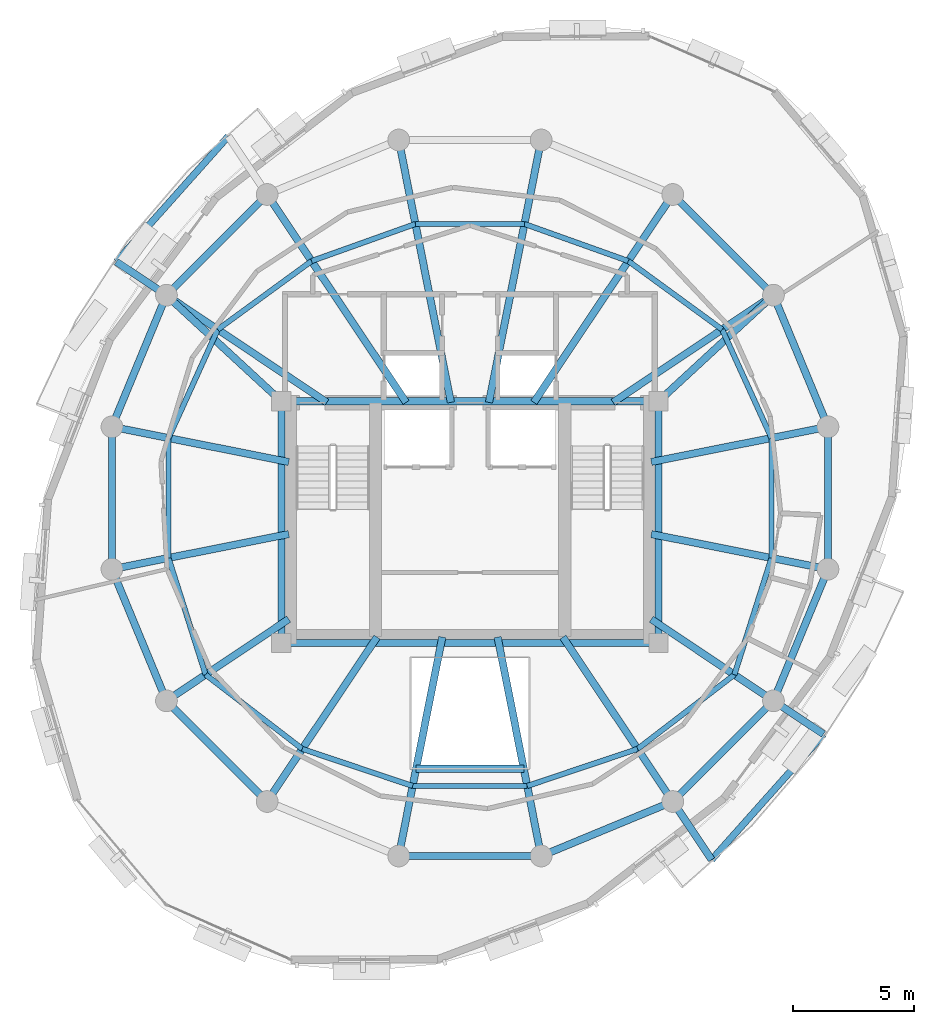
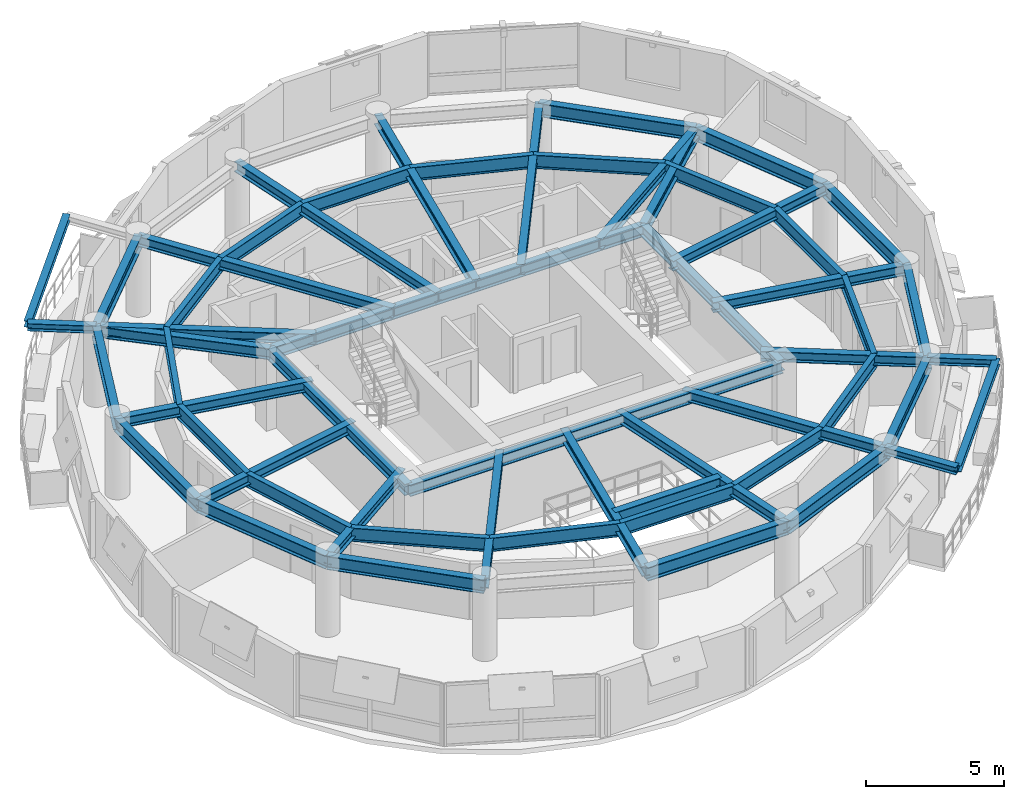
# One storey, part 3 of 11: 56 beams.
"""IFC4 building model written with IfcOpenShell, lengths in metres."""

from ifc_helpers import new_model, si_unit, direction, frame, origin, origin_2d, place, context, subcontext, project, spatial, i_section, extrude, material, material_profile, profile_set, type_object, element, save


model = new_model("IFC4")

# Units and contexts
model_context = context("Model", 3, precision=1e-05, world=origin(), true_north=direction((0.0, 1.0)))
body_context = subcontext(model_context, "Body", "Model", "MODEL_VIEW")
ifc_project = project(units=[si_unit("LENGTHUNIT", "METRE"), si_unit("AREAUNIT", "SQUARE_METRE"), si_unit("VOLUMEUNIT", "CUBIC_METRE"), si_unit("PLANEANGLEUNIT", "RADIAN"), si_unit("MASSUNIT", "GRAM", prefix="KILO"), si_unit("THERMODYNAMICTEMPERATUREUNIT", "KELVIN"), si_unit("POWERUNIT", "WATT")], contexts=[model_context])

# Site, building, storey
site_placement = place(None, origin())
site = spatial("IfcSite", under=ifc_project, at=site_placement, CompositionType="ELEMENT")
building_placement = place(site_placement, origin())
building = spatial("IfcBuilding", under=site, at=building_placement, Name="Ocrelia Relay Tower", CompositionType="ELEMENT")
storey_placement = place(building_placement, frame((0.0, 0.0, 252.0)))
storey = spatial("IfcBuildingStorey", under=building, at=storey_placement, Name="L62", CompositionType="ELEMENT", Elevation=252.0)

# Beams
ifc_material = material(Name="Steel S355", Category="steel")
ifc_material_profile_1 = material_profile(ifc_material, i_section(OverallWidth=0.280029296875, OverallDepth=0.27001953125, WebThickness=0.008056640625, FlangeThickness=0.012939453125, FilletRadius=0.02392578125, at=origin_2d()), Name="HEA 280")
ifc_profile_set_1 = profile_set([ifc_material_profile_1], Name="Steel S355")
beam_type_1 = type_object("IfcBeamType", Name="BM-HEA280", PredefinedType="BEAM", material=ifc_profile_set_1)
for number, where, z_axis, x_axis, name in (
    (1, (24.001953125, 40.963134765625, 3.2451171875), (-0.665598464364, -0.746310045649, 0.0), (0.746310045649, -0.665598464364, 0.0), "L63 Balcony Edge Trimmer Beam B1"),
    (2, (43.998046875, 11.036865234375, 3.2451171875), (0.665598464364, 0.746310045649, 0.0), (-0.746310045649, 0.665598464364, 0.0), "L63 Balcony Edge Trimmer Beam B2"),
):
    element("IfcBeam", number, at=place(storey_placement, frame(where, z_axis=z_axis, x_axis=x_axis)), inside=storey, type_object=beam_type_1, Name=name, PredefinedType="BEAM", context=body_context, shape_type="SweptSolid", body=[
        extrude(i_section(OverallWidth=0.280029296875, OverallDepth=0.27001953125, WebThickness=0.008056640625, FlangeThickness=0.012939453125, FilletRadius=0.02392578125, at=origin_2d()), origin(), (0.0, 0.0, 1.0), 6.9541015625),
    ])
ifc_material_profile_2 = material_profile(ifc_material, i_section(OverallWidth=0.300048828125, OverallDepth=0.330078125, WebThickness=0.009521484375, FlangeThickness=0.0166015625, FilletRadius=0.027099609375, at=origin_2d()), Name="HEA 340")
ifc_profile_set_2 = profile_set([ifc_material_profile_2], Name="Steel S355")
beam_type_2 = type_object("IfcBeamType", Name="BM-HEA340", PredefinedType="BEAM", material=ifc_profile_set_2)
beam_1_placement = place(storey_placement, frame((21.44482421875, 34.38916015625, 3.215087890625), z_axis=(-0.831492052922, 0.55553664679, 0.0), x_axis=(-0.55553664679, -0.831492052922, 0.0)))
element("IfcBeam", 3, at=beam_1_placement, inside=storey, type_object=beam_type_2, Name="L63 Balcony Cantilever Beam B1-2", PredefinedType="BEAM", context=body_context, shape_type="SweptSolid", body=[
    extrude(i_section(OverallWidth=0.300048828125, OverallDepth=0.330078125, WebThickness=0.009521484375, FlangeThickness=0.0166015625, FilletRadius=0.027099609375, at=origin_2d()), origin(), (0.0, 0.0, 1.0), 2.491455078125),
])
beam_2_placement = place(storey_placement, frame((42.38916015625, 13.44482421875, 3.215087890625), z_axis=(0.555555901033, -0.831479188451, 0.0), x_axis=(0.831479188451, 0.555555901033, 0.0)))
element("IfcBeam", 4, at=beam_2_placement, inside=storey, type_object=beam_type_2, Name="L63 Balcony Cantilever Beam B2-1", PredefinedType="BEAM", context=body_context, shape_type="SweptSolid", body=[
    extrude(i_section(OverallWidth=0.300048828125, OverallDepth=0.330078125, WebThickness=0.009521484375, FlangeThickness=0.0166015625, FilletRadius=0.027099609375, at=origin_2d()), origin(), (0.0, 0.0, 1.0), 2.89599609375),
])
beam_3_placement = place(storey_placement, frame((46.55517578125, 17.61083984375, 3.215087890625), z_axis=(0.831492052922, -0.55553664679, 0.0), x_axis=(0.55553664679, 0.831492052922, 0.0)))
element("IfcBeam", 5, at=beam_3_placement, inside=storey, type_object=beam_type_2, Name="L63 Balcony Cantilever Beam B2-2", PredefinedType="BEAM", context=body_context, shape_type="SweptSolid", body=[
    extrude(i_section(OverallWidth=0.300048828125, OverallDepth=0.330078125, WebThickness=0.009521484375, FlangeThickness=0.0166015625, FilletRadius=0.027099609375, at=origin_2d()), origin(), (0.0, 0.0, 1.0), 2.491455078125),
])
ifc_material_profile_3 = material_profile(ifc_material, i_section(OverallWidth=0.300048828125, OverallDepth=0.449951171875, WebThickness=0.013916015625, FlangeThickness=0.02587890625, FilletRadius=0.027099609375, at=origin_2d()), Name="HEB 450")
ifc_profile_set_3 = profile_set([ifc_material_profile_3], Name="Steel S355")
beam_type_3 = type_object("IfcBeamType", Name="BM-HEB450", PredefinedType="BEAM", material=ifc_profile_set_3)
beam_4_placement = place(storey_placement, frame((48.809814453125, 28.94580078125, 3.155029296875), z_axis=(-0.980789400571, -0.195069607393, 0.0), x_axis=(0.195069607393, -0.980789400571, 0.0)))
element("IfcBeam", 6, at=beam_4_placement, inside=storey, type_object=beam_type_3, Name="L62 Radial Floor Girder R01", PredefinedType="BEAM", context=body_context, shape_type="SweptSolid", body=[
    extrude(i_section(OverallWidth=0.300048828125, OverallDepth=0.449951171875, WebThickness=0.013916015625, FlangeThickness=0.02587890625, FilletRadius=0.027099609375, at=origin_2d()), origin(), (0.0, 0.0, 1.0), 7.447998046875),
])
beam_5_placement = place(storey_placement, frame((46.55517578125, 34.38916015625, 3.155029296875), z_axis=(-0.83146627118, -0.555575233331, 0.0), x_axis=(0.555575233331, -0.83146627118, 0.0)))
element("IfcBeam", 7, at=beam_5_placement, inside=storey, type_object=beam_type_3, Name="L62 Radial Floor Girder R02", PredefinedType="BEAM", context=body_context, shape_type="SweptSolid", body=[
    extrude(i_section(OverallWidth=0.300048828125, OverallDepth=0.449951171875, WebThickness=0.013916015625, FlangeThickness=0.02587890625, FilletRadius=0.027099609375, at=origin_2d()), origin(), (0.0, 0.0, 1.0), 7.98095703125),
])
beam_6_placement = place(storey_placement, frame((42.38916015625, 38.55517578125, 3.155029296875), z_axis=(-0.555582296999, -0.831461551283, 0.0), x_axis=(0.831461551283, -0.555582296999, 0.0)))
element("IfcBeam", 8, at=beam_6_placement, inside=storey, type_object=beam_type_3, Name="L62 Radial Floor Girder R03", PredefinedType="BEAM", context=body_context, shape_type="SweptSolid", body=[
    extrude(i_section(OverallWidth=0.300048828125, OverallDepth=0.449951171875, WebThickness=0.013916015625, FlangeThickness=0.02587890625, FilletRadius=0.027099609375, at=origin_2d()), origin(), (0.0, 0.0, 1.0), 10.34326171875),
])
for number, where, z_axis, x_axis, name in (
    (9, (36.94580078125, 40.809814453125, 3.155029296875), (-0.195093658495, -0.98078461673, 0.0), (0.98078461673, -0.195093658495, 0.0), "L62 Radial Floor Girder R04"),
    (10, (31.05419921875, 40.809814453125, 3.155029296875), (0.195093658495, -0.98078461673, 0.0), (0.98078461673, 0.195093658495, 0.0), "L62 Radial Floor Girder R05"),
):
    element("IfcBeam", number, at=place(storey_placement, frame(where, z_axis=z_axis, x_axis=x_axis)), inside=storey, type_object=beam_type_3, Name=name, PredefinedType="BEAM", context=body_context, shape_type="SweptSolid", body=[
        extrude(i_section(OverallWidth=0.300048828125, OverallDepth=0.449951171875, WebThickness=0.013916015625, FlangeThickness=0.02587890625, FilletRadius=0.027099609375, at=origin_2d()), origin(), (0.0, 0.0, 1.0), 11.0673828125),
    ])
beam_7_placement = place(storey_placement, frame((25.61083984375, 38.55517578125, 3.155029296875), z_axis=(0.555582296999, -0.831461551283, 0.0), x_axis=(0.831461551283, 0.555582296999, 0.0)))
element("IfcBeam", 11, at=beam_7_placement, inside=storey, type_object=beam_type_3, Name="L62 Radial Floor Girder R06", PredefinedType="BEAM", context=body_context, shape_type="SweptSolid", body=[
    extrude(i_section(OverallWidth=0.300048828125, OverallDepth=0.449951171875, WebThickness=0.013916015625, FlangeThickness=0.02587890625, FilletRadius=0.027099609375, at=origin_2d()), origin(), (0.0, 0.0, 1.0), 10.34326171875),
])
beam_8_placement = place(storey_placement, frame((21.44482421875, 34.38916015625, 3.155029296875), z_axis=(0.83146627118, -0.555575233331, 0.0), x_axis=(0.555575233331, 0.83146627118, 0.0)))
element("IfcBeam", 12, at=beam_8_placement, inside=storey, type_object=beam_type_3, Name="L62 Radial Floor Girder R07", PredefinedType="BEAM", context=body_context, shape_type="SweptSolid", body=[
    extrude(i_section(OverallWidth=0.300048828125, OverallDepth=0.449951171875, WebThickness=0.013916015625, FlangeThickness=0.02587890625, FilletRadius=0.027099609375, at=origin_2d()), origin(), (0.0, 0.0, 1.0), 7.98095703125),
])
for number, where, z_axis, x_axis, name in (
    (13, (19.190185546875, 28.94580078125, 3.155029296875), (0.980789122594, -0.195071005024, 0.0), (0.195071005024, 0.980789122594, 0.0), "L62 Radial Floor Girder R08"),
    (14, (19.190185546875, 23.05419921875, 3.155029296875), (0.980789122594, 0.195071005024, 0.0), (-0.195071005024, 0.980789122594, 0.0), "L62 Radial Floor Girder R09"),
):
    element("IfcBeam", number, at=place(storey_placement, frame(where, z_axis=z_axis, x_axis=x_axis)), inside=storey, type_object=beam_type_3, Name=name, PredefinedType="BEAM", context=body_context, shape_type="SweptSolid", body=[
        extrude(i_section(OverallWidth=0.300048828125, OverallDepth=0.449951171875, WebThickness=0.013916015625, FlangeThickness=0.02587890625, FilletRadius=0.027099609375, at=origin_2d()), origin(), (0.0, 0.0, 1.0), 7.4580078125),
    ])
beam_9_placement = place(storey_placement, frame((21.44482421875, 17.61083984375, 3.155029296875), z_axis=(0.831463505153, 0.555579372906, 0.0), x_axis=(-0.555579372906, 0.831463505153, 0.0)))
element("IfcBeam", 15, at=beam_9_placement, inside=storey, type_object=beam_type_3, Name="L62 Radial Floor Girder R10", PredefinedType="BEAM", context=body_context, shape_type="SweptSolid", body=[
    extrude(i_section(OverallWidth=0.300048828125, OverallDepth=0.449951171875, WebThickness=0.013916015625, FlangeThickness=0.02587890625, FilletRadius=0.027099609375, at=origin_2d()), origin(), (0.0, 0.0, 1.0), 6.085693359375),
])
beam_10_placement = place(storey_placement, frame((25.61083984375, 13.44482421875, 3.155029296875), z_axis=(0.555560991962, 0.831475786906, 0.0), x_axis=(-0.831475786906, 0.555560991962, 0.0)))
element("IfcBeam", 16, at=beam_10_placement, inside=storey, type_object=beam_type_3, Name="L62 Radial Floor Girder R11", PredefinedType="BEAM", context=body_context, shape_type="SweptSolid", body=[
    extrude(i_section(OverallWidth=0.300048828125, OverallDepth=0.449951171875, WebThickness=0.013916015625, FlangeThickness=0.02587890625, FilletRadius=0.027099609375, at=origin_2d()), origin(), (0.0, 0.0, 1.0), 8.178466796875),
])
for number, where, z_axis, x_axis, name in (
    (17, (31.05419921875, 11.190185546875, 3.155029296875), (0.195078600472, 0.98078761189, 0.0), (-0.98078761189, 0.195078600472, 0.0), "L62 Radial Floor Girder R12"),
    (18, (36.94580078125, 11.190185546875, 3.155029296875), (-0.195078600472, 0.98078761189, 0.0), (-0.98078761189, -0.195078600472, 0.0), "L62 Radial Floor Girder R13"),
):
    element("IfcBeam", number, at=place(storey_placement, frame(where, z_axis=z_axis, x_axis=x_axis)), inside=storey, type_object=beam_type_3, Name=name, PredefinedType="BEAM", context=body_context, shape_type="SweptSolid", body=[
        extrude(i_section(OverallWidth=0.300048828125, OverallDepth=0.449951171875, WebThickness=0.013916015625, FlangeThickness=0.02587890625, FilletRadius=0.027099609375, at=origin_2d()), origin(), (0.0, 0.0, 1.0), 9.232421875),
    ])
beam_11_placement = place(storey_placement, frame((42.38916015625, 13.44482421875, 3.155029296875), z_axis=(-0.555560991962, 0.831475786906, 0.0), x_axis=(-0.831475786906, -0.555560991962, 0.0)))
element("IfcBeam", 19, at=beam_11_placement, inside=storey, type_object=beam_type_3, Name="L62 Radial Floor Girder R14", PredefinedType="BEAM", context=body_context, shape_type="SweptSolid", body=[
    extrude(i_section(OverallWidth=0.300048828125, OverallDepth=0.449951171875, WebThickness=0.013916015625, FlangeThickness=0.02587890625, FilletRadius=0.027099609375, at=origin_2d()), origin(), (0.0, 0.0, 1.0), 8.178466796875),
])
beam_12_placement = place(storey_placement, frame((46.55517578125, 17.61083984375, 3.155029296875), z_axis=(-0.831468559595, 0.555571808504, 0.0), x_axis=(-0.555571808504, -0.831468559595, 0.0)))
element("IfcBeam", 20, at=beam_12_placement, inside=storey, type_object=beam_type_3, Name="L62 Radial Floor Girder R15", PredefinedType="BEAM", context=body_context, shape_type="SweptSolid", body=[
    extrude(i_section(OverallWidth=0.300048828125, OverallDepth=0.449951171875, WebThickness=0.013916015625, FlangeThickness=0.02587890625, FilletRadius=0.027099609375, at=origin_2d()), origin(), (0.0, 0.0, 1.0), 6.073974609375),
])
beam_13_placement = place(storey_placement, frame((48.809814453125, 23.05419921875, 3.155029296875), z_axis=(-0.980789400571, 0.195069607393, 0.0), x_axis=(-0.195069607393, -0.980789400571, 0.0)))
element("IfcBeam", 21, at=beam_13_placement, inside=storey, type_object=beam_type_3, Name="L62 Radial Floor Girder R16", PredefinedType="BEAM", context=body_context, shape_type="SweptSolid", body=[
    extrude(i_section(OverallWidth=0.300048828125, OverallDepth=0.449951171875, WebThickness=0.013916015625, FlangeThickness=0.02587890625, FilletRadius=0.027099609375, at=origin_2d()), origin(), (0.0, 0.0, 1.0), 7.447998046875),
])
ifc_material_profile_4 = material_profile(ifc_material, i_section(OverallWidth=0.300048828125, OverallDepth=0.5, WebThickness=0.014404296875, FlangeThickness=0.028076171875, FilletRadius=0.027099609375, at=origin_2d()), Name="HEB 500")
ifc_profile_set_4 = profile_set([ifc_material_profile_4], Name="Steel S355")
beam_type_4 = type_object("IfcBeamType", Name="BM-HEB500", PredefinedType="BEAM", material=ifc_profile_set_4)
for number, where, z_axis, x_axis, name in (
    (22, (26.199951171875, 20.0, 3.1298828125), (1.0, 0.0, 0.0), (0.0, 1.0, 0.0), "L62 Core Pilaster Tie Beam S"),
    (23, (26.199951171875, 30.0, 3.1298828125), (1.0, 0.0, 0.0), (0.0, 1.0, 0.0), "L62 Core Pilaster Tie Beam N"),
):
    element("IfcBeam", number, at=place(storey_placement, frame(where, z_axis=z_axis, x_axis=x_axis)), inside=storey, type_object=beam_type_4, Name=name, PredefinedType="BEAM", context=body_context, shape_type="SweptSolid", body=[
        extrude(i_section(OverallWidth=0.300048828125, OverallDepth=0.5, WebThickness=0.014404296875, FlangeThickness=0.028076171875, FilletRadius=0.027099609375, at=origin_2d()), origin(), (0.0, 0.0, 1.0), 15.60009765625),
    ])
for number, where, z_axis, x_axis, name in (
    (24, (26.199951171875, 20.0, 3.1298828125), (0.0, 1.0, 0.0), (-1.0, 0.0, 0.0), "L62 Core Pilaster Tie Beam W"),
    (25, (41.800048828125, 20.0, 3.1298828125), (0.0, 1.0, 0.0), (-1.0, 0.0, 0.0), "L62 Core Pilaster Tie Beam E"),
):
    element("IfcBeam", number, at=place(storey_placement, frame(where, z_axis=z_axis, x_axis=x_axis)), inside=storey, type_object=beam_type_4, Name=name, PredefinedType="BEAM", context=body_context, shape_type="SweptSolid", body=[
        extrude(i_section(OverallWidth=0.300048828125, OverallDepth=0.5, WebThickness=0.014404296875, FlangeThickness=0.028076171875, FilletRadius=0.027099609375, at=origin_2d()), origin(), (0.0, 0.0, 1.0), 10.0),
    ])
for number, where, z_axis, x_axis, name in (
    (26, (46.55517578125, 34.38916015625, 3.1298828125), (-0.734817908666, -0.678264433023, 0.0), (0.678264433023, -0.734817908666, 0.0), "L62 Core Pilaster Frame Tie Beam PT02"),
    (27, (21.44482421875, 34.38916015625, 3.1298828125), (0.734817908666, -0.678264433023, 0.0), (0.678264433023, 0.734817908666, 0.0), "L62 Core Pilaster Frame Tie Beam PT07"),
):
    element("IfcBeam", number, at=place(storey_placement, frame(where, z_axis=z_axis, x_axis=x_axis)), inside=storey, type_object=beam_type_4, Name=name, PredefinedType="BEAM", context=body_context, shape_type="SweptSolid", body=[
        extrude(i_section(OverallWidth=0.300048828125, OverallDepth=0.5, WebThickness=0.014404296875, FlangeThickness=0.028076171875, FilletRadius=0.027099609375, at=origin_2d()), origin(), (0.0, 0.0, 1.0), 6.47119140625),
    ])
ifc_material_profile_5 = material_profile(ifc_material, i_section(OverallWidth=0.300048828125, OverallDepth=0.550048828125, WebThickness=0.014892578125, FlangeThickness=0.029052734375, FilletRadius=0.027099609375, at=origin_2d()), Name="HEB 550")
ifc_profile_set_5 = profile_set([ifc_material_profile_5], Name="Steel S355")
beam_type_5 = type_object("IfcBeamType", Name="BM-HEB550", PredefinedType="BEAM", material=ifc_profile_set_5)
beam_14_placement = place(storey_placement, frame((31.772216796875, 14.800048828125, 3.10498046875), z_axis=(1.0, 0.0, 0.0), x_axis=(0.0, 1.0, 0.0)))
element("IfcBeam", 28, at=beam_14_placement, inside=storey, type_object=beam_type_5, Name="L62 Atrium South Trimmer Beam", PredefinedType="BEAM", context=body_context, shape_type="SweptSolid", body=[
    extrude(i_section(OverallWidth=0.300048828125, OverallDepth=0.550048828125, WebThickness=0.014892578125, FlangeThickness=0.029052734375, FilletRadius=0.027099609375, at=origin_2d()), origin(), (0.0, 0.0, 1.0), 4.45556640625),
])
ifc_material_profile_6 = material_profile(ifc_material, i_section(OverallWidth=0.300048828125, OverallDepth=0.60009765625, WebThickness=0.015380859375, FlangeThickness=0.030029296875, FilletRadius=0.027099609375, at=origin_2d()), Name="HEB 600")
ifc_profile_set_6 = profile_set([ifc_material_profile_6], Name="Steel S355")
beam_type_6 = type_object("IfcBeamType", Name="BM-HEB600", PredefinedType="BEAM", material=ifc_profile_set_6)
beam_15_placement = place(storey_placement, frame((48.809814453125, 28.94580078125, 3.080078125), z_axis=(-0.382672624084, 0.923884009374, 0.0), x_axis=(-0.923884009374, -0.382672624084, 0.0)))
element("IfcBeam", 29, at=beam_15_placement, inside=storey, type_object=beam_type_6, Name="L62 Perimeter Spandrel Beam S01", PredefinedType="BEAM", context=body_context, shape_type="SweptSolid", body=[
    extrude(i_section(OverallWidth=0.300048828125, OverallDepth=0.60009765625, WebThickness=0.015380859375, FlangeThickness=0.030029296875, FilletRadius=0.027099609375, at=origin_2d()), origin(), (0.0, 0.0, 1.0), 5.891845703125),
])
for number, where, z_axis, x_axis, name in (
    (30, (46.55517578125, 34.38916015625, 3.080078125), (-0.707106781187, 0.707106781187, 0.0), (-0.707106781187, -0.707106781187, 0.0), "L62 Perimeter Spandrel Beam S02"),
    (31, (25.61083984375, 38.55517578125, 3.080078125), (-0.707106781187, -0.707106781187, 0.0), (0.707106781187, -0.707106781187, 0.0), "L62 Perimeter Spandrel Beam S06"),
):
    element("IfcBeam", number, at=place(storey_placement, frame(where, z_axis=z_axis, x_axis=x_axis)), inside=storey, type_object=beam_type_6, Name=name, PredefinedType="BEAM", context=body_context, shape_type="SweptSolid", body=[
        extrude(i_section(OverallWidth=0.300048828125, OverallDepth=0.60009765625, WebThickness=0.015380859375, FlangeThickness=0.030029296875, FilletRadius=0.027099609375, at=origin_2d()), origin(), (0.0, 0.0, 1.0), 5.8916015625),
    ])
beam_16_placement = place(storey_placement, frame((21.44482421875, 34.38916015625, 3.080078125), z_axis=(-0.382672624084, -0.923884009374, 0.0), x_axis=(0.923884009374, -0.382672624084, 0.0)))
element("IfcBeam", 32, at=beam_16_placement, inside=storey, type_object=beam_type_6, Name="L62 Perimeter Spandrel Beam S07", PredefinedType="BEAM", context=body_context, shape_type="SweptSolid", body=[
    extrude(i_section(OverallWidth=0.300048828125, OverallDepth=0.60009765625, WebThickness=0.015380859375, FlangeThickness=0.030029296875, FilletRadius=0.027099609375, at=origin_2d()), origin(), (0.0, 0.0, 1.0), 5.891845703125),
])
beam_17_placement = place(storey_placement, frame((19.190185546875, 28.94580078125, 3.080078125), z_axis=(0.0, -1.0, 0.0), x_axis=(1.0, 0.0, 0.0)))
element("IfcBeam", 33, at=beam_17_placement, inside=storey, type_object=beam_type_6, Name="L62 Perimeter Spandrel Beam S08", PredefinedType="BEAM", context=body_context, shape_type="SweptSolid", body=[
    extrude(i_section(OverallWidth=0.300048828125, OverallDepth=0.60009765625, WebThickness=0.015380859375, FlangeThickness=0.030029296875, FilletRadius=0.027099609375, at=origin_2d()), origin(), (0.0, 0.0, 1.0), 5.8916015625),
])
beam_18_placement = place(storey_placement, frame((19.190185546875, 23.05419921875, 3.080078125), z_axis=(0.382672624084, -0.923884009374, 0.0), x_axis=(0.923884009374, 0.382672624084, 0.0)))
element("IfcBeam", 34, at=beam_18_placement, inside=storey, type_object=beam_type_6, Name="L62 Perimeter Spandrel Beam S09", PredefinedType="BEAM", context=body_context, shape_type="SweptSolid", body=[
    extrude(i_section(OverallWidth=0.300048828125, OverallDepth=0.60009765625, WebThickness=0.015380859375, FlangeThickness=0.030029296875, FilletRadius=0.027099609375, at=origin_2d()), origin(), (0.0, 0.0, 1.0), 5.891845703125),
])
for number, where, z_axis, x_axis, name in (
    (35, (21.44482421875, 17.61083984375, 3.080078125), (0.707106781187, -0.707106781187, 0.0), (0.707106781187, 0.707106781187, 0.0), "L62 Perimeter Spandrel Beam S10"),
    (36, (31.05419921875, 11.190185546875, 3.080078125), (1.0, 0.0, 0.0), (0.0, 1.0, 0.0), "L62 Perimeter Spandrel Beam S12"),
):
    element("IfcBeam", number, at=place(storey_placement, frame(where, z_axis=z_axis, x_axis=x_axis)), inside=storey, type_object=beam_type_6, Name=name, PredefinedType="BEAM", context=body_context, shape_type="SweptSolid", body=[
        extrude(i_section(OverallWidth=0.300048828125, OverallDepth=0.60009765625, WebThickness=0.015380859375, FlangeThickness=0.030029296875, FilletRadius=0.027099609375, at=origin_2d()), origin(), (0.0, 0.0, 1.0), 5.8916015625),
    ])
beam_19_placement = place(storey_placement, frame((36.94580078125, 11.190185546875, 3.080078125), z_axis=(0.923884009374, 0.382672624084, 0.0), x_axis=(-0.382672624084, 0.923884009374, 0.0)))
element("IfcBeam", 37, at=beam_19_placement, inside=storey, type_object=beam_type_6, Name="L62 Perimeter Spandrel Beam S13", PredefinedType="BEAM", context=body_context, shape_type="SweptSolid", body=[
    extrude(i_section(OverallWidth=0.300048828125, OverallDepth=0.60009765625, WebThickness=0.015380859375, FlangeThickness=0.030029296875, FilletRadius=0.027099609375, at=origin_2d()), origin(), (0.0, 0.0, 1.0), 5.891845703125),
])
beam_20_placement = place(storey_placement, frame((42.38916015625, 13.44482421875, 3.080078125), z_axis=(0.707106781187, 0.707106781187, 0.0), x_axis=(-0.707106781187, 0.707106781187, 0.0)))
element("IfcBeam", 38, at=beam_20_placement, inside=storey, type_object=beam_type_6, Name="L62 Perimeter Spandrel Beam S14", PredefinedType="BEAM", context=body_context, shape_type="SweptSolid", body=[
    extrude(i_section(OverallWidth=0.300048828125, OverallDepth=0.60009765625, WebThickness=0.015380859375, FlangeThickness=0.030029296875, FilletRadius=0.027099609375, at=origin_2d()), origin(), (0.0, 0.0, 1.0), 5.8916015625),
])
beam_21_placement = place(storey_placement, frame((46.55517578125, 17.61083984375, 3.080078125), z_axis=(0.382672624084, 0.923884009374, 0.0), x_axis=(-0.923884009374, 0.382672624084, 0.0)))
element("IfcBeam", 39, at=beam_21_placement, inside=storey, type_object=beam_type_6, Name="L62 Perimeter Spandrel Beam S15", PredefinedType="BEAM", context=body_context, shape_type="SweptSolid", body=[
    extrude(i_section(OverallWidth=0.300048828125, OverallDepth=0.60009765625, WebThickness=0.015380859375, FlangeThickness=0.030029296875, FilletRadius=0.027099609375, at=origin_2d()), origin(), (0.0, 0.0, 1.0), 5.891845703125),
])
beam_22_placement = place(storey_placement, frame((48.809814453125, 23.05419921875, 3.080078125), z_axis=(0.0, 1.0, 0.0), x_axis=(-1.0, 0.0, 0.0)))
element("IfcBeam", 40, at=beam_22_placement, inside=storey, type_object=beam_type_6, Name="L62 Perimeter Spandrel Beam S16", PredefinedType="BEAM", context=body_context, shape_type="SweptSolid", body=[
    extrude(i_section(OverallWidth=0.300048828125, OverallDepth=0.60009765625, WebThickness=0.015380859375, FlangeThickness=0.030029296875, FilletRadius=0.027099609375, at=origin_2d()), origin(), (0.0, 0.0, 1.0), 5.8916015625),
])
ifc_material_profile_7 = material_profile(ifc_material, i_section(OverallWidth=0.219970703125, OverallDepth=0.60009765625, WebThickness=0.011962890625, FlangeThickness=0.01904296875, FilletRadius=0.02392578125, at=origin_2d()), Name="IPE 600")
ifc_profile_set_7 = profile_set([ifc_material_profile_7], Name="Steel S355")
beam_type_7 = type_object("IfcBeamType", Name="BM-IPE600", PredefinedType="JOIST", material=ifc_profile_set_7)
beam_23_placement = place(storey_placement, frame((46.472412109375, 28.48095703125, 3.080078125), z_axis=(-0.413836514443, 0.91035121756, 0.0), x_axis=(-0.91035121756, -0.413836514443, 0.0)))
element("IfcBeam", 41, at=beam_23_placement, inside=storey, type_object=beam_type_7, Name="L62 Secondary Floor Joist J01", PredefinedType="JOIST", context=body_context, shape_type="SweptSolid", body=[
    extrude(i_section(OverallWidth=0.219970703125, OverallDepth=0.60009765625, WebThickness=0.011962890625, FlangeThickness=0.01904296875, FilletRadius=0.02392578125, at=origin_2d()), origin(), (0.0, 0.0, 1.0), 4.931396484375),
])
beam_24_placement = place(storey_placement, frame((44.431640625, 32.97021484375, 3.080078125), z_axis=(-0.80774844416, 0.58952731146, 0.0), x_axis=(-0.58952731146, -0.80774844416, 0.0)))
element("IfcBeam", 42, at=beam_24_placement, inside=storey, type_object=beam_type_7, Name="L62 Secondary Floor Joist J02", PredefinedType="JOIST", context=body_context, shape_type="SweptSolid", body=[
    extrude(i_section(OverallWidth=0.219970703125, OverallDepth=0.60009765625, WebThickness=0.011962890625, FlangeThickness=0.01904296875, FilletRadius=0.02392578125, at=origin_2d()), origin(), (0.0, 0.0, 1.0), 4.80517578125),
])
beam_25_placement = place(storey_placement, frame((40.55029296875, 35.802978515625, 3.080078125), z_axis=(-0.94180245035, 0.336166840298, 0.0), x_axis=(-0.336166840298, -0.94180245035, 0.0)))
element("IfcBeam", 43, at=beam_25_placement, inside=storey, type_object=beam_type_7, Name="L62 Secondary Floor Joist J03", PredefinedType="JOIST", context=body_context, shape_type="SweptSolid", body=[
    extrude(i_section(OverallWidth=0.219970703125, OverallDepth=0.60009765625, WebThickness=0.011962890625, FlangeThickness=0.01904296875, FilletRadius=0.02392578125, at=origin_2d()), origin(), (0.0, 0.0, 1.0), 4.560791015625),
])
beam_26_placement = place(storey_placement, frame((36.2548828125, 37.336181640625, 3.080078125), z_axis=(-1.0, 0.0, 0.0), x_axis=(0.0, -1.0, 0.0)))
element("IfcBeam", 44, at=beam_26_placement, inside=storey, type_object=beam_type_7, Name="L62 Secondary Floor Joist J04", PredefinedType="JOIST", context=body_context, shape_type="SweptSolid", body=[
    extrude(i_section(OverallWidth=0.219970703125, OverallDepth=0.60009765625, WebThickness=0.011962890625, FlangeThickness=0.01904296875, FilletRadius=0.02392578125, at=origin_2d()), origin(), (0.0, 0.0, 1.0), 4.509765625),
])
beam_27_placement = place(storey_placement, frame((31.7451171875, 37.336181640625, 3.080078125), z_axis=(-0.94180245035, -0.336166840298, 0.0), x_axis=(0.336166840298, -0.94180245035, 0.0)))
element("IfcBeam", 45, at=beam_27_placement, inside=storey, type_object=beam_type_7, Name="L62 Secondary Floor Joist J05", PredefinedType="JOIST", context=body_context, shape_type="SweptSolid", body=[
    extrude(i_section(OverallWidth=0.219970703125, OverallDepth=0.60009765625, WebThickness=0.011962890625, FlangeThickness=0.01904296875, FilletRadius=0.02392578125, at=origin_2d()), origin(), (0.0, 0.0, 1.0), 4.560791015625),
])
beam_28_placement = place(storey_placement, frame((27.44970703125, 35.802978515625, 3.080078125), z_axis=(-0.80774844416, -0.58952731146, 0.0), x_axis=(0.58952731146, -0.80774844416, 0.0)))
element("IfcBeam", 46, at=beam_28_placement, inside=storey, type_object=beam_type_7, Name="L62 Secondary Floor Joist J06", PredefinedType="JOIST", context=body_context, shape_type="SweptSolid", body=[
    extrude(i_section(OverallWidth=0.219970703125, OverallDepth=0.60009765625, WebThickness=0.011962890625, FlangeThickness=0.01904296875, FilletRadius=0.02392578125, at=origin_2d()), origin(), (0.0, 0.0, 1.0), 4.80517578125),
])
beam_29_placement = place(storey_placement, frame((23.568359375, 32.97021484375, 3.080078125), z_axis=(-0.413205957462, -0.910637599003, 0.0), x_axis=(0.910637599003, -0.413205957462, 0.0)))
element("IfcBeam", 47, at=beam_29_placement, inside=storey, type_object=beam_type_7, Name="L62 Secondary Floor Joist J07", PredefinedType="JOIST", context=body_context, shape_type="SweptSolid", body=[
    extrude(i_section(OverallWidth=0.219970703125, OverallDepth=0.60009765625, WebThickness=0.011962890625, FlangeThickness=0.01904296875, FilletRadius=0.02392578125, at=origin_2d()), origin(), (0.0, 0.0, 1.0), 4.9306640625),
])
beam_30_placement = place(storey_placement, frame((21.531005859375, 28.480224609375, 3.080078125), z_axis=(0.0, -1.0, 0.0), x_axis=(1.0, 0.0, 0.0)))
element("IfcBeam", 48, at=beam_30_placement, inside=storey, type_object=beam_type_7, Name="L62 Secondary Floor Joist J08", PredefinedType="JOIST", context=body_context, shape_type="SweptSolid", body=[
    extrude(i_section(OverallWidth=0.219970703125, OverallDepth=0.60009765625, WebThickness=0.011962890625, FlangeThickness=0.01904296875, FilletRadius=0.02392578125, at=origin_2d()), origin(), (0.0, 0.0, 1.0), 4.96044921875),
])
beam_31_placement = place(storey_placement, frame((21.531005859375, 23.519775390625, 3.080078125), z_axis=(0.302732054046, -0.953075707094, 0.0), x_axis=(0.953075707094, 0.302732054046, 0.0)))
element("IfcBeam", 49, at=beam_31_placement, inside=storey, type_object=beam_type_7, Name="L62 Secondary Floor Joist J09", PredefinedType="JOIST", context=body_context, shape_type="SweptSolid", body=[
    extrude(i_section(OverallWidth=0.219970703125, OverallDepth=0.60009765625, WebThickness=0.011962890625, FlangeThickness=0.01904296875, FilletRadius=0.02392578125, at=origin_2d()), origin(), (0.0, 0.0, 1.0), 5.064453125),
])
beam_32_placement = place(storey_placement, frame((23.064208984375, 18.69287109375, 3.080078125), z_axis=(0.793147291367, -0.60902986314, 0.0), x_axis=(0.60902986314, 0.793147291367, 0.0)))
element("IfcBeam", 50, at=beam_32_placement, inside=storey, type_object=beam_type_7, Name="L62 Secondary Floor Joist J10", PredefinedType="JOIST", context=body_context, shape_type="SweptSolid", body=[
    extrude(i_section(OverallWidth=0.219970703125, OverallDepth=0.60009765625, WebThickness=0.011962890625, FlangeThickness=0.01904296875, FilletRadius=0.02392578125, at=origin_2d()), origin(), (0.0, 0.0, 1.0), 5.044189453125),
])
beam_33_placement = place(storey_placement, frame((27.06494140625, 15.620849609375, 3.080078125), z_axis=(0.947976335242, -0.318340804519, 0.0), x_axis=(0.318340804519, 0.947976335242, 0.0)))
element("IfcBeam", 51, at=beam_33_placement, inside=storey, type_object=beam_type_7, Name="L62 Secondary Floor Joist J11", PredefinedType="JOIST", context=body_context, shape_type="SweptSolid", body=[
    extrude(i_section(OverallWidth=0.219970703125, OverallDepth=0.60009765625, WebThickness=0.011962890625, FlangeThickness=0.01904296875, FilletRadius=0.02392578125, at=origin_2d()), origin(), (0.0, 0.0, 1.0), 4.816162109375),
])
beam_34_placement = place(storey_placement, frame((31.630615234375, 14.087646484375, 3.080078125), z_axis=(1.0, 0.0, 0.0), x_axis=(0.0, 1.0, 0.0)))
element("IfcBeam", 52, at=beam_34_placement, inside=storey, type_object=beam_type_7, Name="L62 Secondary Floor Joist J12", PredefinedType="JOIST", context=body_context, shape_type="SweptSolid", body=[
    extrude(i_section(OverallWidth=0.219970703125, OverallDepth=0.60009765625, WebThickness=0.011962890625, FlangeThickness=0.01904296875, FilletRadius=0.02392578125, at=origin_2d()), origin(), (0.0, 0.0, 1.0), 4.73876953125),
])
beam_35_placement = place(storey_placement, frame((36.369384765625, 14.087646484375, 3.080078125), z_axis=(0.947976335242, 0.318340804519, 0.0), x_axis=(-0.318340804519, 0.947976335242, 0.0)))
element("IfcBeam", 53, at=beam_35_placement, inside=storey, type_object=beam_type_7, Name="L62 Secondary Floor Joist J13", PredefinedType="JOIST", context=body_context, shape_type="SweptSolid", body=[
    extrude(i_section(OverallWidth=0.219970703125, OverallDepth=0.60009765625, WebThickness=0.011962890625, FlangeThickness=0.01904296875, FilletRadius=0.02392578125, at=origin_2d()), origin(), (0.0, 0.0, 1.0), 4.816162109375),
])
beam_36_placement = place(storey_placement, frame((40.93505859375, 15.620849609375, 3.080078125), z_axis=(0.793608697717, 0.608428496134, 0.0), x_axis=(-0.608428496134, 0.793608697717, 0.0)))
element("IfcBeam", 54, at=beam_36_placement, inside=storey, type_object=beam_type_7, Name="L62 Secondary Floor Joist J14", PredefinedType="JOIST", context=body_context, shape_type="SweptSolid", body=[
    extrude(i_section(OverallWidth=0.219970703125, OverallDepth=0.60009765625, WebThickness=0.011962890625, FlangeThickness=0.01904296875, FilletRadius=0.02392578125, at=origin_2d()), origin(), (0.0, 0.0, 1.0), 5.04541015625),
])
beam_37_placement = place(storey_placement, frame((44.939208984375, 18.690673828125, 3.080078125), z_axis=(0.302648624063, 0.953102203519, 0.0), x_axis=(-0.953102203519, 0.302648624063, 0.0)))
element("IfcBeam", 55, at=beam_37_placement, inside=storey, type_object=beam_type_7, Name="L62 Secondary Floor Joist J15", PredefinedType="JOIST", context=body_context, shape_type="SweptSolid", body=[
    extrude(i_section(OverallWidth=0.219970703125, OverallDepth=0.60009765625, WebThickness=0.011962890625, FlangeThickness=0.01904296875, FilletRadius=0.02392578125, at=origin_2d()), origin(), (0.0, 0.0, 1.0), 5.06591796875),
])
beam_38_placement = place(storey_placement, frame((46.472412109375, 23.51904296875, 3.080078125), z_axis=(0.0, 1.0, 0.0), x_axis=(-1.0, 0.0, 0.0)))
element("IfcBeam", 56, at=beam_38_placement, inside=storey, type_object=beam_type_7, Name="L62 Secondary Floor Joist J16", PredefinedType="JOIST", context=body_context, shape_type="SweptSolid", body=[
    extrude(i_section(OverallWidth=0.219970703125, OverallDepth=0.60009765625, WebThickness=0.011962890625, FlangeThickness=0.01904296875, FilletRadius=0.02392578125, at=origin_2d()), origin(), (0.0, 0.0, 1.0), 4.9619140625),
])

save(model, "model.ifc")
